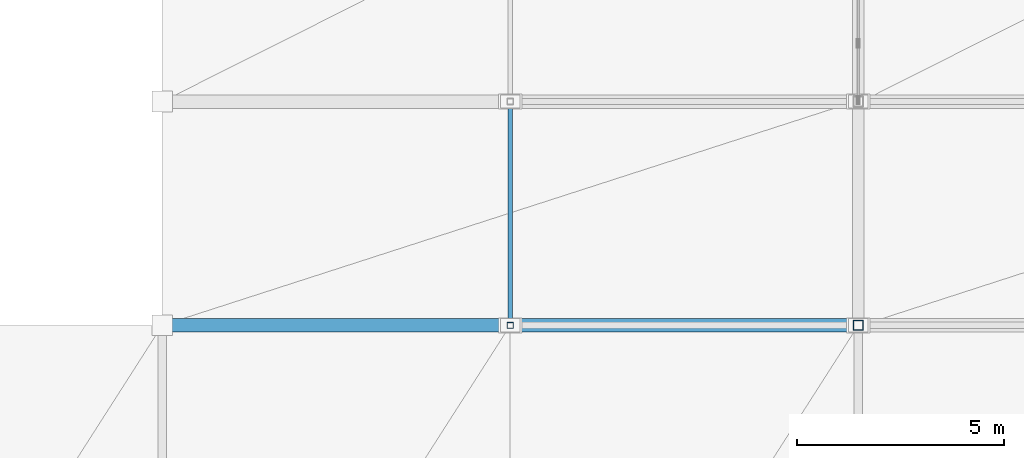
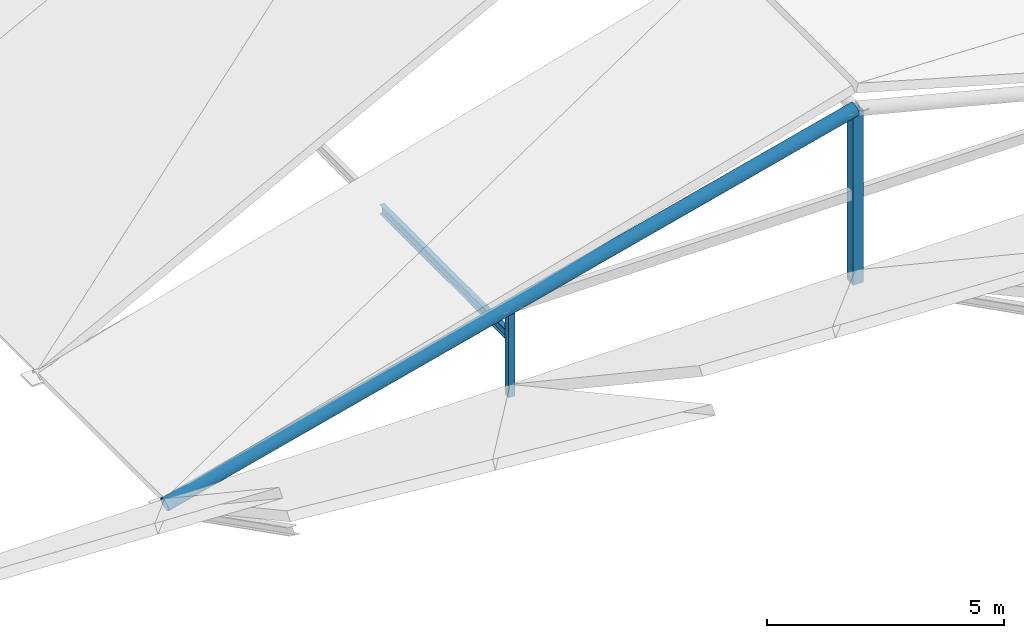
# One storey, part 10 of 76: 4 members.
"""IFC4 building model written with IfcOpenShell, lengths in metres."""

from ifc_helpers import new_model, si_unit, direction, frame, origin, origin_2d, place, context, subcontext, project, spatial, hollow_rectangle, hollow_circle, i_section, extrude, material, material_profile, profile_set, type_object, element, save


model = new_model("IFC4")

# Units and contexts
model_context = context("Model", 3, precision=1e-05, world=origin(), true_north=direction((0.0, 1.0)))
body_context = subcontext(model_context, "Body", "Model", "MODEL_VIEW")
ifc_project = project(units=[si_unit("LENGTHUNIT", "METRE"), si_unit("AREAUNIT", "SQUARE_METRE"), si_unit("VOLUMEUNIT", "CUBIC_METRE"), si_unit("PLANEANGLEUNIT", "RADIAN"), si_unit("MASSUNIT", "GRAM", prefix="KILO")], contexts=[model_context])

# Site, building, storey
site_placement = place(None, origin())
site = spatial("IfcSite", under=ifc_project, at=site_placement, CompositionType="ELEMENT")
building_placement = place(site_placement, origin())
building = spatial("IfcBuilding", under=site, at=building_placement, Name="Krzemoval Escarpment Law Courts", CompositionType="ELEMENT")
storey_placement = place(building_placement, frame((0.0, 0.0, 20.39990234375)))
storey = spatial("IfcBuildingStorey", under=building, at=storey_placement, Name="L04", CompositionType="ELEMENT", Elevation=20.39990234375)

# Members
ifc_material_1 = material(Name="Steel S355", Category="steel")
ifc_material_profile_1 = material_profile(ifc_material_1, hollow_circle(Radius=0.161865234375, WallThickness=0.01611328125, at=origin_2d()), Name="CHS 323.9x16")
ifc_profile_set_1 = profile_set([ifc_material_profile_1], Name="Steel S355")
member_type_1 = type_object("IfcMemberType", Name="MBR-CHD-CHS324", PredefinedType="CHORD", material=ifc_profile_set_1)
member_1_placement = place(storey_placement, frame((8.39990234375, 35.39990234375, -0.14990234375), z_axis=(0.96876999437, 0.0, 0.247961081639), x_axis=(0.0, 1.0, 0.0)))
element("IfcMember", 1, at=member_1_placement, inside=storey, type_object=member_type_1, Name="Roof Rafter Chord TC-0004", PredefinedType="CHORD", context=body_context, shape_type="SweptSolid", body=[
    extrude(hollow_circle(Radius=0.161865234375, WallThickness=0.01611328125, at=origin_2d()), origin(), (0.0, 0.0, 1.0), 17.341552734375),
])
ifc_material_2 = material(Name="Steel S355", Category="steel")
ifc_material_profile_2 = material_profile(ifc_material_2, i_section(OverallWidth=0.1201171875, OverallDepth=0.239990234375, WebThickness=0.006103515625, FlangeThickness=0.009765625, at=origin_2d()), Name="IPE 240")
ifc_profile_set_2 = profile_set([ifc_material_profile_2], Name="Steel S355")
member_type_2 = type_object("IfcMemberType", Name="MBR-PUR-IPE240", PredefinedType="PURLIN", material=ifc_profile_set_2)
member_2_placement = place(storey_placement, frame((16.800048828125, 35.39990234375, 1.25), z_axis=(0.0, 1.0, 0.0), x_axis=(-1.0, 0.0, 0.0)))
element("IfcMember", 2, at=member_2_placement, inside=storey, type_object=member_type_2, Name="Roof Purlin PR-0056", PredefinedType="PURLIN", context=body_context, shape_type="SweptSolid", body=[
    extrude(i_section(OverallWidth=0.1201171875, OverallDepth=0.239990234375, WebThickness=0.006103515625, FlangeThickness=0.009765625, at=origin_2d()), origin(), (0.0, 0.0, 1.0), 5.400146484375),
])
ifc_material_3 = material(Name="Steel S355", Category="steel")
ifc_material_profile_3 = material_profile(ifc_material_3, hollow_rectangle(XDim=0.14990234375, YDim=0.14990234375, WallThickness=0.008056640625, at=origin_2d()), Name="SHS 150x150x8")
ifc_profile_set_3 = profile_set([ifc_material_profile_3], Name="Steel S355")
member_type_3 = type_object("IfcMemberType", Name="MBR-STR-SHS150", PredefinedType="STRUT", material=ifc_profile_set_3)
member_3_placement = place(storey_placement, frame((16.800048828125, 35.39990234375, -0.27978515625), z_axis=(0.0, 0.0, 1.0), x_axis=(1.0, 0.0, 0.0)))
element("IfcMember", 3, at=member_3_placement, inside=storey, type_object=member_type_3, Name="Roof Truss Web Strut ST-0002", PredefinedType="STRUT", context=body_context, shape_type="SweptSolid", body=[
    extrude(hollow_rectangle(XDim=0.14990234375, YDim=0.14990234375, WallThickness=0.008056640625, at=origin_2d()), origin(), (0.0, 0.0, 1.0), 2.27978515625),
])
ifc_material_4 = material(Name="Steel S355", Category="steel")
ifc_material_profile_4 = material_profile(ifc_material_4, hollow_rectangle(XDim=0.25, YDim=0.25, WallThickness=0.012451171875, at=origin_2d()), Name="SHS 250x250x12.5")
ifc_profile_set_4 = profile_set([ifc_material_profile_4], Name="Steel S355")
member_type_4 = type_object("IfcMemberType", Name="MBR-STR-SHS250", PredefinedType="STRUT", material=ifc_profile_set_4)
member_4_placement = place(storey_placement, frame((25.199951171875, 35.39990234375, -0.27978515625), z_axis=(0.0, 0.0, 1.0), x_axis=(1.0, 0.0, 0.0)))
element("IfcMember", 4, at=member_4_placement, inside=storey, type_object=member_type_4, Name="Roof Truss King Strut ST-0001", PredefinedType="STRUT", context=body_context, shape_type="SweptSolid", body=[
    extrude(hollow_rectangle(XDim=0.25, YDim=0.25, WallThickness=0.012451171875, at=origin_2d()), origin(), (0.0, 0.0, 1.0), 4.429931640625),
])

save(model, "model.ifc")
